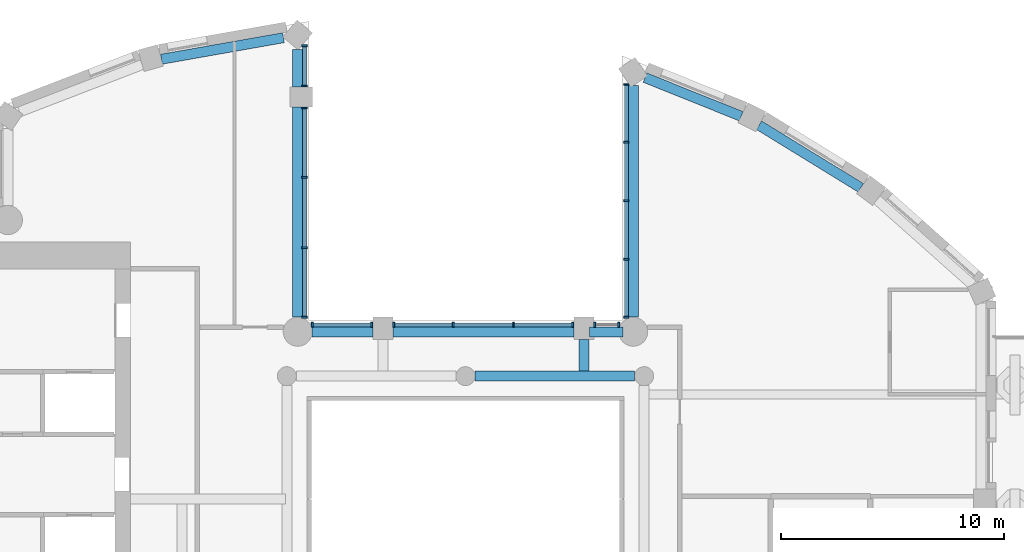
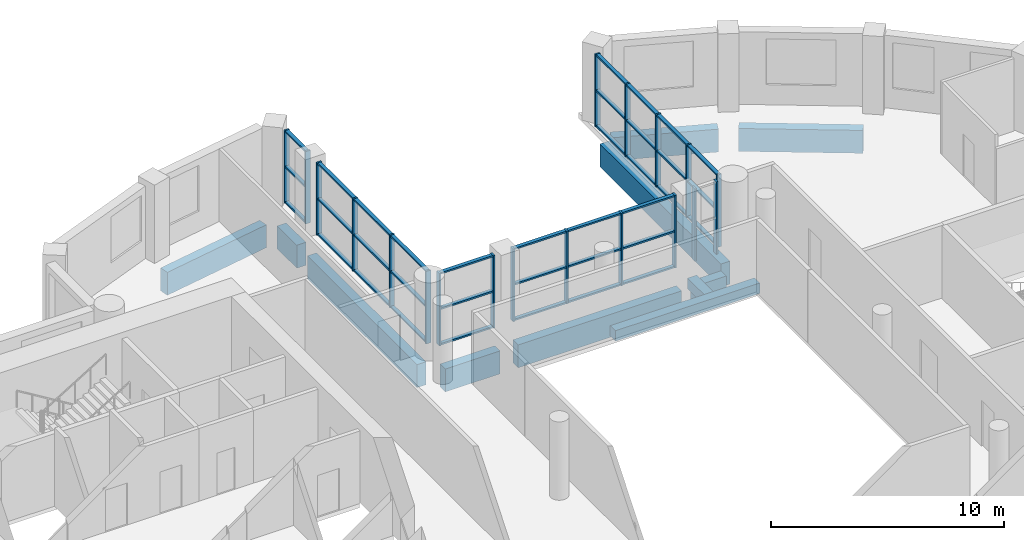
# One storey, part 2 of 14: 55 members, 11 beams, 6 elements without a shape of their own.
"""IFC4 building model written with IfcOpenShell, lengths in metres."""

from ifc_helpers import new_model, si_unit, direction, frame, origin, origin_2d, place, context, subcontext, project, spatial, rectangle, extrude, material, material_profile, profile_set, type_object, element, aggregate, save


model = new_model("IFC4")

# Units and contexts
model_context = context("Model", 3, precision=1e-05, world=origin(), true_north=direction((0.0, 1.0)))
body_context = subcontext(model_context, "Body", "Model", "MODEL_VIEW")
ifc_project = project(units=[si_unit("LENGTHUNIT", "METRE"), si_unit("AREAUNIT", "SQUARE_METRE"), si_unit("VOLUMEUNIT", "CUBIC_METRE"), si_unit("PLANEANGLEUNIT", "RADIAN"), si_unit("MASSUNIT", "GRAM", prefix="KILO")], contexts=[model_context])

# Site, building, storey
site_placement = place(None, origin())
site = spatial("IfcSite", under=ifc_project, at=site_placement, CompositionType="ELEMENT")
building_placement = place(site_placement, origin())
building = spatial("IfcBuilding", under=site, at=building_placement, Name="Cypress Arch Tower", CompositionType="ELEMENT")
storey_placement = place(building_placement, frame((0.0, 0.0, 296.699951171875)))
storey = spatial("IfcBuildingStorey", under=building, at=storey_placement, Name="L67", CompositionType="ELEMENT", Elevation=296.699951171875)

# Beams
ifc_material_1 = material(Name="Concrete C50/60", Category="concrete")
ifc_material_profile_1 = material_profile(ifc_material_1, rectangle(XDim=0.449951171875, YDim=0.550048828125, at=origin_2d()), Name="RC 450x550")
ifc_profile_set_1 = profile_set([ifc_material_profile_1], Name="Concrete C50/60")
beam_type_1 = type_object("IfcBeamType", Name="Floor beam RC 450x550 Concrete C50/60", PredefinedType="BEAM", material=ifc_profile_set_1)
beam_1_placement = place(storey_placement, frame((1.425048828125, 10.0, -0.574951171875), z_axis=(1.0, 0.0, 0.0), x_axis=(0.0, 1.0, 0.0)))
element("IfcBeam", 1, at=beam_1_placement, inside=storey, type_object=beam_type_1, Name="Floor beam L67 RB008", PredefinedType="BEAM", context=body_context, shape_type="SweptSolid", body=[
    extrude(rectangle(XDim=0.449951171875, YDim=0.550048828125, at=origin_2d()), origin(), (0.0, 0.0, 1.0), 7.14990234375),
])
beam_2_placement = place(storey_placement, frame((6.300048828125, 10.22509765625, -0.574951171875), z_axis=(0.0, 1.0, 0.0), x_axis=(-1.0, 0.0, 0.0)))
element("IfcBeam", 2, at=beam_2_placement, inside=storey, type_object=beam_type_1, Name="Floor beam L67 FB013", PredefinedType="BEAM", context=body_context, shape_type="SweptSolid", body=[
    extrude(rectangle(XDim=0.449951171875, YDim=0.550048828125, at=origin_2d()), origin(), (0.0, 0.0, 1.0), 1.4248046875),
])

# Curtain wall, members
ifc_material_2 = material(Name="Anodised aluminium, bronze finish, clear laminated double glazing", Category="aluminium")
curtain_wall_type = type_object("IfcCurtainWallType", Name="Curtain wall CW7 slot glazing", PredefinedType="NOTDEFINED", material=ifc_material_2)
curtain_wall_1_placement = place(storey_placement, origin())
curtain_wall_1 = element("IfcCurtainWall", 3, at=curtain_wall_1_placement, inside=storey, type_object=curtain_wall_type, Name="Curtain wall L67 slot C00.0", PredefinedType="NOTDEFINED")
ifc_material_3 = material(Name="Anodised aluminium, bronze finish", Category="aluminium")
ifc_material_profile_2 = material_profile(ifc_material_3, rectangle(XDim=0.239990234375, YDim=0.0849609375, at=origin_2d()), Name="Mullion 85x240")
ifc_profile_set_2 = profile_set([ifc_material_profile_2], Name="Anodised aluminium, bronze finish")
member_type_1 = type_object("IfcMemberType", Name="Mullion CW7 85x240", PredefinedType="MULLION", material=ifc_profile_set_2)
member_1_placement = place(storey_placement, frame((8.199951171875, 23.060302734375, 0.0), z_axis=(0.0, 0.0, 1.0), x_axis=(1.0, 0.0, 0.0)))
member_1 = element("IfcMember", 4, at=member_1_placement, type_object=member_type_1, Name="CW7 mullion 1", PredefinedType="MULLION", context=body_context, shape_type="SweptSolid", body=[
    extrude(rectangle(XDim=0.239990234375, YDim=0.0849609375, at=origin_2d()), origin(), (0.0, 0.0, 1.0), 3.800048828125),
])
member_2_placement = place(storey_placement, frame((8.199951171875, 20.477294921875, 0.0), z_axis=(0.0, 0.0, 1.0), x_axis=(1.0, 0.0, 0.0)))
member_2 = element("IfcMember", 5, at=member_2_placement, type_object=member_type_1, Name="CW7 mullion 2", PredefinedType="MULLION", context=body_context, shape_type="SweptSolid", body=[
    extrude(rectangle(XDim=0.239990234375, YDim=0.0849609375, at=origin_2d()), origin(), (0.0, 0.0, 1.0), 3.800048828125),
])
member_3_placement = place(storey_placement, frame((8.199951171875, 17.85205078125, 0.0), z_axis=(0.0, 0.0, 1.0), x_axis=(1.0, 0.0, 0.0)))
member_3 = element("IfcMember", 6, at=member_3_placement, type_object=member_type_1, Name="CW7 mullion 3", PredefinedType="MULLION", context=body_context, shape_type="SweptSolid", body=[
    extrude(rectangle(XDim=0.239990234375, YDim=0.0849609375, at=origin_2d()), origin(), (0.0, 0.0, 1.0), 3.800048828125),
])
member_4_placement = place(storey_placement, frame((8.199951171875, 15.226806640625, 0.0), z_axis=(0.0, 0.0, 1.0), x_axis=(1.0, 0.0, 0.0)))
member_4 = element("IfcMember", 7, at=member_4_placement, type_object=member_type_1, Name="CW7 mullion 4", PredefinedType="MULLION", context=body_context, shape_type="SweptSolid", body=[
    extrude(rectangle(XDim=0.239990234375, YDim=0.0849609375, at=origin_2d()), origin(), (0.0, 0.0, 1.0), 3.800048828125),
])
member_5_placement = place(storey_placement, frame((8.199951171875, 12.64404296875, 0.0), z_axis=(0.0, 0.0, 1.0), x_axis=(1.0, 0.0, 0.0)))
member_5 = element("IfcMember", 8, at=member_5_placement, type_object=member_type_1, Name="CW7 mullion 5", PredefinedType="MULLION", context=body_context, shape_type="SweptSolid", body=[
    extrude(rectangle(XDim=0.239990234375, YDim=0.0849609375, at=origin_2d()), origin(), (0.0, 0.0, 1.0), 3.800048828125),
])

curtain_wall_2_placement = place(storey_placement, origin())
curtain_wall_2 = element("IfcCurtainWall", 9, at=curtain_wall_2_placement, inside=storey, type_object=curtain_wall_type, Name="Curtain wall L67 slot C01.0", PredefinedType="NOTDEFINED")
member_6_placement = place(storey_placement, frame((7.85595703125, 12.300048828125, 0.0), z_axis=(0.0, 0.0, 1.0), x_axis=(0.0, -1.0, 0.0)))
member_6 = element("IfcMember", 10, at=member_6_placement, type_object=member_type_1, Name="CW7 mullion 1", PredefinedType="MULLION", context=body_context, shape_type="SweptSolid", body=[
    extrude(rectangle(XDim=0.239990234375, YDim=0.0849609375, at=origin_2d()), origin(), (0.0, 0.0, 1.0), 3.800048828125),
])
member_7_placement = place(storey_placement, frame((6.79248046875, 12.300048828125, 0.0), z_axis=(0.0, 0.0, 1.0), x_axis=(0.0, -1.0, 0.0)))
member_7 = element("IfcMember", 11, at=member_7_placement, type_object=member_type_1, Name="CW7 mullion 2", PredefinedType="MULLION", context=body_context, shape_type="SweptSolid", body=[
    extrude(rectangle(XDim=0.239990234375, YDim=0.0849609375, at=origin_2d()), origin(), (0.0, 0.0, 1.0), 3.800048828125),
])
aggregate(curtain_wall_2, [member_6, member_7])

curtain_wall_3_placement = place(storey_placement, origin())
curtain_wall_3 = element("IfcCurtainWall", 12, at=curtain_wall_3_placement, inside=storey, type_object=curtain_wall_type, Name="Curtain wall L67 slot C01.1", PredefinedType="NOTDEFINED")
member_8_placement = place(storey_placement, frame((5.8076171875, 12.300048828125, 0.0), z_axis=(0.0, 0.0, 1.0), x_axis=(0.0, -1.0, 0.0)))
member_8 = element("IfcMember", 13, at=member_8_placement, type_object=member_type_1, Name="CW7 mullion 1", PredefinedType="MULLION", context=body_context, shape_type="SweptSolid", body=[
    extrude(rectangle(XDim=0.239990234375, YDim=0.0849609375, at=origin_2d()), origin(), (0.0, 0.0, 1.0), 3.800048828125),
])
member_9_placement = place(storey_placement, frame((3.14990234375, 12.300048828125, 0.0), z_axis=(0.0, 0.0, 1.0), x_axis=(0.0, -1.0, 0.0)))
member_9 = element("IfcMember", 14, at=member_9_placement, type_object=member_type_1, Name="CW7 mullion 2", PredefinedType="MULLION", context=body_context, shape_type="SweptSolid", body=[
    extrude(rectangle(XDim=0.239990234375, YDim=0.0849609375, at=origin_2d()), origin(), (0.0, 0.0, 1.0), 3.800048828125),
])
member_10_placement = place(storey_placement, frame((0.449951171875, 12.300048828125, 0.0), z_axis=(0.0, 0.0, 1.0), x_axis=(0.0, -1.0, 0.0)))
member_10 = element("IfcMember", 15, at=member_10_placement, type_object=member_type_1, Name="CW7 mullion 3", PredefinedType="MULLION", context=body_context, shape_type="SweptSolid", body=[
    extrude(rectangle(XDim=0.239990234375, YDim=0.0849609375, at=origin_2d()), origin(), (0.0, 0.0, 1.0), 3.800048828125),
])
member_11_placement = place(storey_placement, frame((-2.20751953125, 12.300048828125, 0.0), z_axis=(0.0, 0.0, 1.0), x_axis=(0.0, -1.0, 0.0)))
member_11 = element("IfcMember", 16, at=member_11_placement, type_object=member_type_1, Name="CW7 mullion 4", PredefinedType="MULLION", context=body_context, shape_type="SweptSolid", body=[
    extrude(rectangle(XDim=0.239990234375, YDim=0.0849609375, at=origin_2d()), origin(), (0.0, 0.0, 1.0), 3.800048828125),
])

curtain_wall_4_placement = place(storey_placement, origin())
curtain_wall_4 = element("IfcCurtainWall", 17, at=curtain_wall_4_placement, inside=storey, type_object=curtain_wall_type, Name="Curtain wall L67 slot C01.2", PredefinedType="NOTDEFINED")
member_12_placement = place(storey_placement, frame((-3.1923828125, 12.300048828125, 0.0), z_axis=(0.0, 0.0, 1.0), x_axis=(0.0, -1.0, 0.0)))
member_12 = element("IfcMember", 18, at=member_12_placement, type_object=member_type_1, Name="CW7 mullion 1", PredefinedType="MULLION", context=body_context, shape_type="SweptSolid", body=[
    extrude(rectangle(XDim=0.239990234375, YDim=0.0849609375, at=origin_2d()), origin(), (0.0, 0.0, 1.0), 3.800048828125),
])
member_13_placement = place(storey_placement, frame((-5.85595703125, 12.300048828125, 0.0), z_axis=(0.0, 0.0, 1.0), x_axis=(0.0, -1.0, 0.0)))
member_13 = element("IfcMember", 19, at=member_13_placement, type_object=member_type_1, Name="CW7 mullion 2", PredefinedType="MULLION", context=body_context, shape_type="SweptSolid", body=[
    extrude(rectangle(XDim=0.239990234375, YDim=0.0849609375, at=origin_2d()), origin(), (0.0, 0.0, 1.0), 3.800048828125),
])

curtain_wall_5_placement = place(storey_placement, origin())
curtain_wall_5 = element("IfcCurtainWall", 20, at=curtain_wall_5_placement, inside=storey, type_object=curtain_wall_type, Name="Curtain wall L67 slot C02.0", PredefinedType="NOTDEFINED")
member_14_placement = place(storey_placement, frame((-6.199951171875, 12.64404296875, 0.0), z_axis=(0.0, 0.0, 1.0), x_axis=(-1.0, 0.0, 0.0)))
member_14 = element("IfcMember", 21, at=member_14_placement, type_object=member_type_1, Name="CW7 mullion 1", PredefinedType="MULLION", context=body_context, shape_type="SweptSolid", body=[
    extrude(rectangle(XDim=0.239990234375, YDim=0.0849609375, at=origin_2d()), origin(), (0.0, 0.0, 1.0), 3.800048828125),
])
member_15_placement = place(storey_placement, frame((-6.199951171875, 15.7509765625, 0.0), z_axis=(0.0, 0.0, 1.0), x_axis=(-1.0, 0.0, 0.0)))
member_15 = element("IfcMember", 22, at=member_15_placement, type_object=member_type_1, Name="CW7 mullion 2", PredefinedType="MULLION", context=body_context, shape_type="SweptSolid", body=[
    extrude(rectangle(XDim=0.239990234375, YDim=0.0849609375, at=origin_2d()), origin(), (0.0, 0.0, 1.0), 3.800048828125),
])
member_16_placement = place(storey_placement, frame((-6.199951171875, 18.900390625, 0.0), z_axis=(0.0, 0.0, 1.0), x_axis=(-1.0, 0.0, 0.0)))
member_16 = element("IfcMember", 23, at=member_16_placement, type_object=member_type_1, Name="CW7 mullion 3", PredefinedType="MULLION", context=body_context, shape_type="SweptSolid", body=[
    extrude(rectangle(XDim=0.239990234375, YDim=0.0849609375, at=origin_2d()), origin(), (0.0, 0.0, 1.0), 3.800048828125),
])
member_17_placement = place(storey_placement, frame((-6.199951171875, 22.007568359375, 0.0), z_axis=(0.0, 0.0, 1.0), x_axis=(-1.0, 0.0, 0.0)))
member_17 = element("IfcMember", 24, at=member_17_placement, type_object=member_type_1, Name="CW7 mullion 4", PredefinedType="MULLION", context=body_context, shape_type="SweptSolid", body=[
    extrude(rectangle(XDim=0.239990234375, YDim=0.0849609375, at=origin_2d()), origin(), (0.0, 0.0, 1.0), 3.800048828125),
])

curtain_wall_6_placement = place(storey_placement, origin())
curtain_wall_6 = element("IfcCurtainWall", 25, at=curtain_wall_6_placement, inside=storey, type_object=curtain_wall_type, Name="Curtain wall L67 slot C02.1", PredefinedType="NOTDEFINED")
member_18_placement = place(storey_placement, frame((-6.199951171875, 22.992431640625, 0.0), z_axis=(0.0, 0.0, 1.0), x_axis=(-1.0, 0.0, 0.0)))
member_18 = element("IfcMember", 26, at=member_18_placement, type_object=member_type_1, Name="CW7 mullion 1", PredefinedType="MULLION", context=body_context, shape_type="SweptSolid", body=[
    extrude(rectangle(XDim=0.239990234375, YDim=0.0849609375, at=origin_2d()), origin(), (0.0, 0.0, 1.0), 3.800048828125),
])
member_19_placement = place(storey_placement, frame((-6.199951171875, 24.789794921875, 0.0), z_axis=(0.0, 0.0, 1.0), x_axis=(-1.0, 0.0, 0.0)))
member_19 = element("IfcMember", 27, at=member_19_placement, type_object=member_type_1, Name="CW7 mullion 2", PredefinedType="MULLION", context=body_context, shape_type="SweptSolid", body=[
    extrude(rectangle(XDim=0.239990234375, YDim=0.0849609375, at=origin_2d()), origin(), (0.0, 0.0, 1.0), 3.800048828125),
])

# Beams
ifc_material_4 = material(Name="Concrete C50/60", Category="concrete")
ifc_material_profile_3 = material_profile(ifc_material_4, rectangle(XDim=0.449951171875, YDim=1.199951171875, at=origin_2d()), Name="RC 450x1200")
ifc_profile_set_3 = profile_set([ifc_material_profile_3], Name="Concrete C50/60")
beam_type_2 = type_object("IfcBeamType", Name="Spandrel beam RC 450x1200 Concrete C50/60", PredefinedType="SPANDREL", material=ifc_profile_set_3)
beam_3_placement = place(storey_placement, frame((8.52490234375, 23.017578125, -1.550048828125), z_axis=(0.0, -1.0, 0.0), x_axis=(1.0, 0.0, 0.0)))
element("IfcBeam", 28, at=beam_3_placement, inside=storey, type_object=beam_type_2, Name="Spandrel beam L67 BC00-0", PredefinedType="SPANDREL", context=body_context, shape_type="SweptSolid", body=[
    extrude(rectangle(XDim=0.449951171875, YDim=1.199951171875, at=origin_2d()), origin(), (0.0, 0.0, 1.0), 10.380126953125),
])
beam_4_placement = place(storey_placement, frame((8.05615234375, 11.97509765625, -1.550048828125), z_axis=(-1.0, 0.0, 0.0), x_axis=(0.0, -1.0, 0.0)))
element("IfcBeam", 29, at=beam_4_placement, inside=storey, type_object=beam_type_2, Name="Spandrel beam L67 BC01-0", PredefinedType="SPANDREL", context=body_context, shape_type="SweptSolid", body=[
    extrude(rectangle(XDim=0.449951171875, YDim=1.199951171875, at=origin_2d()), origin(), (0.0, 0.0, 1.0), 1.5),
])
beam_5_placement = place(storey_placement, frame((5.85009765625, 11.97509765625, -1.550048828125), z_axis=(-1.0, 0.0, 0.0), x_axis=(0.0, -1.0, 0.0)))
element("IfcBeam", 30, at=beam_5_placement, inside=storey, type_object=beam_type_2, Name="Spandrel beam L67 BC01-1", PredefinedType="SPANDREL", context=body_context, shape_type="SweptSolid", body=[
    extrude(rectangle(XDim=0.449951171875, YDim=1.199951171875, at=origin_2d()), origin(), (0.0, 0.0, 1.0), 8.10009765625),
])
beam_6_placement = place(storey_placement, frame((-3.14990234375, 11.97509765625, -1.550048828125), z_axis=(-1.0, 0.0, 0.0), x_axis=(0.0, -1.0, 0.0)))
element("IfcBeam", 31, at=beam_6_placement, inside=storey, type_object=beam_type_2, Name="Spandrel beam L67 BC01-2", PredefinedType="SPANDREL", context=body_context, shape_type="SweptSolid", body=[
    extrude(rectangle(XDim=0.449951171875, YDim=1.199951171875, at=origin_2d()), origin(), (0.0, 0.0, 1.0), 2.712646484375),
])
beam_7_placement = place(storey_placement, frame((-6.52490234375, 12.637451171875, -1.550048828125), z_axis=(0.0, 1.0, 0.0), x_axis=(-1.0, 0.0, 0.0)))
element("IfcBeam", 32, at=beam_7_placement, inside=storey, type_object=beam_type_2, Name="Spandrel beam L67 BC02-0", PredefinedType="SPANDREL", context=body_context, shape_type="SweptSolid", body=[
    extrude(rectangle(XDim=0.449951171875, YDim=1.199951171875, at=origin_2d()), origin(), (0.0, 0.0, 1.0), 9.41259765625),
])
beam_8_placement = place(storey_placement, frame((-6.52490234375, 22.949951171875, -1.550048828125), z_axis=(0.0, 1.0, 0.0), x_axis=(-1.0, 0.0, 0.0)))
element("IfcBeam", 33, at=beam_8_placement, inside=storey, type_object=beam_type_2, Name="Spandrel beam L67 BC02-1", PredefinedType="SPANDREL", context=body_context, shape_type="SweptSolid", body=[
    extrude(rectangle(XDim=0.449951171875, YDim=1.199951171875, at=origin_2d()), origin(), (0.0, 0.0, 1.0), 1.6796875),
])
beam_9_placement = place(storey_placement, frame((-7.14990234375, 25.154052734375, -1.550048828125), z_axis=(-0.984800388539, -0.173689938494, 0.0), x_axis=(0.173689938494, -0.984800388539, 0.0)))
element("IfcBeam", 34, at=beam_9_placement, inside=storey, type_object=beam_type_2, Name="Spandrel beam L67 BC03-0", PredefinedType="SPANDREL", context=body_context, shape_type="SweptSolid", body=[
    extrude(rectangle(XDim=0.449951171875, YDim=1.199951171875, at=origin_2d()), origin(), (0.0, 0.0, 1.0), 5.5478515625),
])
beam_10_placement = place(storey_placement, frame((18.700927734375, 18.43359375, -1.550048828125), z_axis=(-0.851880940975, 0.523735488966, 0.0), x_axis=(-0.523735488966, -0.851880940975, 0.0)))
element("IfcBeam", 35, at=beam_10_placement, inside=storey, type_object=beam_type_2, Name="Spandrel beam L67 BC19-0", PredefinedType="SPANDREL", context=body_context, shape_type="SweptSolid", body=[
    extrude(rectangle(XDim=0.449951171875, YDim=1.199951171875, at=origin_2d()), origin(), (0.0, 0.0, 1.0), 5.344970703125),
])
beam_11_placement = place(storey_placement, frame((13.343994140625, 21.6376953125, -1.550048828125), z_axis=(-0.92793836678, 0.372733668263, 0.0), x_axis=(-0.372733668263, -0.92793836678, 0.0)))
element("IfcBeam", 36, at=beam_11_placement, inside=storey, type_object=beam_type_2, Name="Spandrel beam L67 BC20-0", PredefinedType="SPANDREL", context=body_context, shape_type="SweptSolid", body=[
    extrude(rectangle(XDim=0.449951171875, YDim=1.199951171875, at=origin_2d()), origin(), (0.0, 0.0, 1.0), 4.637451171875),
])

# Member
ifc_material_5 = material(Name="Anodised aluminium, bronze finish", Category="aluminium")
ifc_material_profile_4 = material_profile(ifc_material_5, rectangle(XDim=0.179931640625, YDim=0.0849609375, at=origin_2d()), Name="Transom 85x180")
ifc_profile_set_4 = profile_set([ifc_material_profile_4], Name="Anodised aluminium, bronze finish")
member_type_2 = type_object("IfcMemberType", Name="Transom CW7 85x180", PredefinedType="USERDEFINED", material=ifc_profile_set_4)
member_20_placement = place(storey_placement, frame((8.199951171875, 23.017578125, 0.04248046875), z_axis=(0.0, -1.0, 0.0), x_axis=(1.0, 0.0, 0.0)))
member_20 = element("IfcMember", 37, at=member_20_placement, type_object=member_type_2, Name="CW7 transom 1.1", ObjectType="TRANSOM", PredefinedType="USERDEFINED", context=body_context, shape_type="SweptSolid", body=[
    extrude(rectangle(XDim=0.179931640625, YDim=0.0849609375, at=origin_2d()), origin(), (0.0, 0.0, 1.0), 2.497802734375),
])

member_21_placement = place(storey_placement, frame((8.199951171875, 23.017578125, 1.900146484375), z_axis=(0.0, -1.0, 0.0), x_axis=(1.0, 0.0, 0.0)))
member_21 = element("IfcMember", 38, at=member_21_placement, type_object=member_type_2, Name="CW7 transom 1.2", ObjectType="TRANSOM", PredefinedType="USERDEFINED", context=body_context, shape_type="SweptSolid", body=[
    extrude(rectangle(XDim=0.179931640625, YDim=0.0849609375, at=origin_2d()), origin(), (0.0, 0.0, 1.0), 2.497802734375),
])

member_22_placement = place(storey_placement, frame((8.199951171875, 23.017578125, 3.757568359375), z_axis=(0.0, -1.0, 0.0), x_axis=(1.0, 0.0, 0.0)))
member_22 = element("IfcMember", 39, at=member_22_placement, type_object=member_type_2, Name="CW7 transom 1.3", ObjectType="TRANSOM", PredefinedType="USERDEFINED", context=body_context, shape_type="SweptSolid", body=[
    extrude(rectangle(XDim=0.179931640625, YDim=0.0849609375, at=origin_2d()), origin(), (0.0, 0.0, 1.0), 2.497802734375),
])

member_23_placement = place(storey_placement, frame((8.199951171875, 20.434814453125, 0.04248046875), z_axis=(0.0, -1.0, 0.0), x_axis=(1.0, 0.0, 0.0)))
member_23 = element("IfcMember", 40, at=member_23_placement, type_object=member_type_2, Name="CW7 transom 2.1", ObjectType="TRANSOM", PredefinedType="USERDEFINED", context=body_context, shape_type="SweptSolid", body=[
    extrude(rectangle(XDim=0.179931640625, YDim=0.0849609375, at=origin_2d()), origin(), (0.0, 0.0, 1.0), 2.540283203125),
])

member_24_placement = place(storey_placement, frame((8.199951171875, 20.434814453125, 1.900146484375), z_axis=(0.0, -1.0, 0.0), x_axis=(1.0, 0.0, 0.0)))
member_24 = element("IfcMember", 41, at=member_24_placement, type_object=member_type_2, Name="CW7 transom 2.2", ObjectType="TRANSOM", PredefinedType="USERDEFINED", context=body_context, shape_type="SweptSolid", body=[
    extrude(rectangle(XDim=0.179931640625, YDim=0.0849609375, at=origin_2d()), origin(), (0.0, 0.0, 1.0), 2.540283203125),
])

member_25_placement = place(storey_placement, frame((8.199951171875, 20.434814453125, 3.757568359375), z_axis=(0.0, -1.0, 0.0), x_axis=(1.0, 0.0, 0.0)))
member_25 = element("IfcMember", 42, at=member_25_placement, type_object=member_type_2, Name="CW7 transom 2.3", ObjectType="TRANSOM", PredefinedType="USERDEFINED", context=body_context, shape_type="SweptSolid", body=[
    extrude(rectangle(XDim=0.179931640625, YDim=0.0849609375, at=origin_2d()), origin(), (0.0, 0.0, 1.0), 2.540283203125),
])

member_26_placement = place(storey_placement, frame((8.199951171875, 17.8095703125, 0.04248046875), z_axis=(0.0, -1.0, 0.0), x_axis=(1.0, 0.0, 0.0)))
member_26 = element("IfcMember", 43, at=member_26_placement, type_object=member_type_2, Name="CW7 transom 3.1", ObjectType="TRANSOM", PredefinedType="USERDEFINED", context=body_context, shape_type="SweptSolid", body=[
    extrude(rectangle(XDim=0.179931640625, YDim=0.0849609375, at=origin_2d()), origin(), (0.0, 0.0, 1.0), 2.540283203125),
])

member_27_placement = place(storey_placement, frame((8.199951171875, 17.8095703125, 1.900146484375), z_axis=(0.0, -1.0, 0.0), x_axis=(1.0, 0.0, 0.0)))
member_27 = element("IfcMember", 44, at=member_27_placement, type_object=member_type_2, Name="CW7 transom 3.2", ObjectType="TRANSOM", PredefinedType="USERDEFINED", context=body_context, shape_type="SweptSolid", body=[
    extrude(rectangle(XDim=0.179931640625, YDim=0.0849609375, at=origin_2d()), origin(), (0.0, 0.0, 1.0), 2.540283203125),
])

member_28_placement = place(storey_placement, frame((8.199951171875, 17.8095703125, 3.757568359375), z_axis=(0.0, -1.0, 0.0), x_axis=(1.0, 0.0, 0.0)))
member_28 = element("IfcMember", 45, at=member_28_placement, type_object=member_type_2, Name="CW7 transom 3.3", ObjectType="TRANSOM", PredefinedType="USERDEFINED", context=body_context, shape_type="SweptSolid", body=[
    extrude(rectangle(XDim=0.179931640625, YDim=0.0849609375, at=origin_2d()), origin(), (0.0, 0.0, 1.0), 2.540283203125),
])

member_29_placement = place(storey_placement, frame((8.199951171875, 15.184326171875, 0.04248046875), z_axis=(0.0, -1.0, 0.0), x_axis=(1.0, 0.0, 0.0)))
member_29 = element("IfcMember", 46, at=member_29_placement, type_object=member_type_2, Name="CW7 transom 4.1", ObjectType="TRANSOM", PredefinedType="USERDEFINED", context=body_context, shape_type="SweptSolid", body=[
    extrude(rectangle(XDim=0.179931640625, YDim=0.0849609375, at=origin_2d()), origin(), (0.0, 0.0, 1.0), 2.497802734375),
])

member_30_placement = place(storey_placement, frame((8.199951171875, 15.184326171875, 1.900146484375), z_axis=(0.0, -1.0, 0.0), x_axis=(1.0, 0.0, 0.0)))
member_30 = element("IfcMember", 47, at=member_30_placement, type_object=member_type_2, Name="CW7 transom 4.2", ObjectType="TRANSOM", PredefinedType="USERDEFINED", context=body_context, shape_type="SweptSolid", body=[
    extrude(rectangle(XDim=0.179931640625, YDim=0.0849609375, at=origin_2d()), origin(), (0.0, 0.0, 1.0), 2.497802734375),
])

member_31_placement = place(storey_placement, frame((8.199951171875, 15.184326171875, 3.757568359375), z_axis=(0.0, -1.0, 0.0), x_axis=(1.0, 0.0, 0.0)))
member_31 = element("IfcMember", 48, at=member_31_placement, type_object=member_type_2, Name="CW7 transom 4.3", ObjectType="TRANSOM", PredefinedType="USERDEFINED", context=body_context, shape_type="SweptSolid", body=[
    extrude(rectangle(XDim=0.179931640625, YDim=0.0849609375, at=origin_2d()), origin(), (0.0, 0.0, 1.0), 2.497802734375),
])

aggregate(curtain_wall_1, [member_1, member_2, member_3, member_4, member_5, member_20, member_21, member_22, member_23, member_24, member_25, member_26, member_27, member_28, member_29, member_30, member_31])

member_32_placement = place(storey_placement, frame((5.764892578125, 12.300048828125, 0.04248046875), z_axis=(-1.0, 0.0, 0.0), x_axis=(0.0, -1.0, 0.0)))
member_32 = element("IfcMember", 49, at=member_32_placement, type_object=member_type_2, Name="CW7 transom 1.1", ObjectType="TRANSOM", PredefinedType="USERDEFINED", context=body_context, shape_type="SweptSolid", body=[
    extrude(rectangle(XDim=0.179931640625, YDim=0.0849609375, at=origin_2d()), origin(), (0.0, 0.0, 1.0), 2.572509765625),
])

member_33_placement = place(storey_placement, frame((5.764892578125, 12.300048828125, 1.900146484375), z_axis=(-1.0, 0.0, 0.0), x_axis=(0.0, -1.0, 0.0)))
member_33 = element("IfcMember", 50, at=member_33_placement, type_object=member_type_2, Name="CW7 transom 1.2", ObjectType="TRANSOM", PredefinedType="USERDEFINED", context=body_context, shape_type="SweptSolid", body=[
    extrude(rectangle(XDim=0.179931640625, YDim=0.0849609375, at=origin_2d()), origin(), (0.0, 0.0, 1.0), 2.572509765625),
])

member_34_placement = place(storey_placement, frame((5.764892578125, 12.300048828125, 3.757568359375), z_axis=(-1.0, 0.0, 0.0), x_axis=(0.0, -1.0, 0.0)))
member_34 = element("IfcMember", 51, at=member_34_placement, type_object=member_type_2, Name="CW7 transom 1.3", ObjectType="TRANSOM", PredefinedType="USERDEFINED", context=body_context, shape_type="SweptSolid", body=[
    extrude(rectangle(XDim=0.179931640625, YDim=0.0849609375, at=origin_2d()), origin(), (0.0, 0.0, 1.0), 2.572509765625),
])

member_35_placement = place(storey_placement, frame((3.107421875, 12.300048828125, 0.04248046875), z_axis=(-1.0, 0.0, 0.0), x_axis=(0.0, -1.0, 0.0)))
member_35 = element("IfcMember", 52, at=member_35_placement, type_object=member_type_2, Name="CW7 transom 2.1", ObjectType="TRANSOM", PredefinedType="USERDEFINED", context=body_context, shape_type="SweptSolid", body=[
    extrude(rectangle(XDim=0.179931640625, YDim=0.0849609375, at=origin_2d()), origin(), (0.0, 0.0, 1.0), 2.614990234375),
])

member_36_placement = place(storey_placement, frame((3.107421875, 12.300048828125, 1.900146484375), z_axis=(-1.0, 0.0, 0.0), x_axis=(0.0, -1.0, 0.0)))
member_36 = element("IfcMember", 53, at=member_36_placement, type_object=member_type_2, Name="CW7 transom 2.2", ObjectType="TRANSOM", PredefinedType="USERDEFINED", context=body_context, shape_type="SweptSolid", body=[
    extrude(rectangle(XDim=0.179931640625, YDim=0.0849609375, at=origin_2d()), origin(), (0.0, 0.0, 1.0), 2.614990234375),
])

member_37_placement = place(storey_placement, frame((3.107421875, 12.300048828125, 3.757568359375), z_axis=(-1.0, 0.0, 0.0), x_axis=(0.0, -1.0, 0.0)))
member_37 = element("IfcMember", 54, at=member_37_placement, type_object=member_type_2, Name="CW7 transom 2.3", ObjectType="TRANSOM", PredefinedType="USERDEFINED", context=body_context, shape_type="SweptSolid", body=[
    extrude(rectangle(XDim=0.179931640625, YDim=0.0849609375, at=origin_2d()), origin(), (0.0, 0.0, 1.0), 2.614990234375),
])

member_38_placement = place(storey_placement, frame((0.407470703125, 12.300048828125, 0.04248046875), z_axis=(-1.0, 0.0, 0.0), x_axis=(0.0, -1.0, 0.0)))
member_38 = element("IfcMember", 55, at=member_38_placement, type_object=member_type_2, Name="CW7 transom 3.1", ObjectType="TRANSOM", PredefinedType="USERDEFINED", context=body_context, shape_type="SweptSolid", body=[
    extrude(rectangle(XDim=0.179931640625, YDim=0.0849609375, at=origin_2d()), origin(), (0.0, 0.0, 1.0), 2.572509765625),
])

member_39_placement = place(storey_placement, frame((0.407470703125, 12.300048828125, 1.900146484375), z_axis=(-1.0, 0.0, 0.0), x_axis=(0.0, -1.0, 0.0)))
member_39 = element("IfcMember", 56, at=member_39_placement, type_object=member_type_2, Name="CW7 transom 3.2", ObjectType="TRANSOM", PredefinedType="USERDEFINED", context=body_context, shape_type="SweptSolid", body=[
    extrude(rectangle(XDim=0.179931640625, YDim=0.0849609375, at=origin_2d()), origin(), (0.0, 0.0, 1.0), 2.572509765625),
])

member_40_placement = place(storey_placement, frame((0.407470703125, 12.300048828125, 3.757568359375), z_axis=(-1.0, 0.0, 0.0), x_axis=(0.0, -1.0, 0.0)))
member_40 = element("IfcMember", 57, at=member_40_placement, type_object=member_type_2, Name="CW7 transom 3.3", ObjectType="TRANSOM", PredefinedType="USERDEFINED", context=body_context, shape_type="SweptSolid", body=[
    extrude(rectangle(XDim=0.179931640625, YDim=0.0849609375, at=origin_2d()), origin(), (0.0, 0.0, 1.0), 2.572509765625),
])

aggregate(curtain_wall_3, [member_8, member_9, member_10, member_11, member_32, member_33, member_34, member_35, member_36, member_37, member_38, member_39, member_40])

member_41_placement = place(storey_placement, frame((-3.235107421875, 12.300048828125, 0.04248046875), z_axis=(-1.0, 0.0, 0.0), x_axis=(0.0, -1.0, 0.0)))
member_41 = element("IfcMember", 58, at=member_41_placement, type_object=member_type_2, Name="CW7 transom 1.1", ObjectType="TRANSOM", PredefinedType="USERDEFINED", context=body_context, shape_type="SweptSolid", body=[
    extrude(rectangle(XDim=0.179931640625, YDim=0.0849609375, at=origin_2d()), origin(), (0.0, 0.0, 1.0), 2.578369140625),
])

member_42_placement = place(storey_placement, frame((-3.235107421875, 12.300048828125, 1.900146484375), z_axis=(-1.0, 0.0, 0.0), x_axis=(0.0, -1.0, 0.0)))
member_42 = element("IfcMember", 59, at=member_42_placement, type_object=member_type_2, Name="CW7 transom 1.2", ObjectType="TRANSOM", PredefinedType="USERDEFINED", context=body_context, shape_type="SweptSolid", body=[
    extrude(rectangle(XDim=0.179931640625, YDim=0.0849609375, at=origin_2d()), origin(), (0.0, 0.0, 1.0), 2.578369140625),
])

member_43_placement = place(storey_placement, frame((-3.235107421875, 12.300048828125, 3.757568359375), z_axis=(-1.0, 0.0, 0.0), x_axis=(0.0, -1.0, 0.0)))
member_43 = element("IfcMember", 60, at=member_43_placement, type_object=member_type_2, Name="CW7 transom 1.3", ObjectType="TRANSOM", PredefinedType="USERDEFINED", context=body_context, shape_type="SweptSolid", body=[
    extrude(rectangle(XDim=0.179931640625, YDim=0.0849609375, at=origin_2d()), origin(), (0.0, 0.0, 1.0), 2.578369140625),
])

aggregate(curtain_wall_4, [member_12, member_13, member_41, member_42, member_43])

member_44_placement = place(storey_placement, frame((-6.199951171875, 12.6865234375, 0.04248046875), z_axis=(0.0, 1.0, 0.0), x_axis=(-1.0, 0.0, 0.0)))
member_44 = element("IfcMember", 61, at=member_44_placement, type_object=member_type_2, Name="CW7 transom 1.1", ObjectType="TRANSOM", PredefinedType="USERDEFINED", context=body_context, shape_type="SweptSolid", body=[
    extrude(rectangle(XDim=0.179931640625, YDim=0.0849609375, at=origin_2d()), origin(), (0.0, 0.0, 1.0), 3.02197265625),
])

member_45_placement = place(storey_placement, frame((-6.199951171875, 12.6865234375, 1.900146484375), z_axis=(0.0, 1.0, 0.0), x_axis=(-1.0, 0.0, 0.0)))
member_45 = element("IfcMember", 62, at=member_45_placement, type_object=member_type_2, Name="CW7 transom 1.2", ObjectType="TRANSOM", PredefinedType="USERDEFINED", context=body_context, shape_type="SweptSolid", body=[
    extrude(rectangle(XDim=0.179931640625, YDim=0.0849609375, at=origin_2d()), origin(), (0.0, 0.0, 1.0), 3.02197265625),
])

member_46_placement = place(storey_placement, frame((-6.199951171875, 12.6865234375, 3.757568359375), z_axis=(0.0, 1.0, 0.0), x_axis=(-1.0, 0.0, 0.0)))
member_46 = element("IfcMember", 63, at=member_46_placement, type_object=member_type_2, Name="CW7 transom 1.3", ObjectType="TRANSOM", PredefinedType="USERDEFINED", context=body_context, shape_type="SweptSolid", body=[
    extrude(rectangle(XDim=0.179931640625, YDim=0.0849609375, at=origin_2d()), origin(), (0.0, 0.0, 1.0), 3.02197265625),
])

member_47_placement = place(storey_placement, frame((-6.199951171875, 15.79345703125, 0.04248046875), z_axis=(0.0, 1.0, 0.0), x_axis=(-1.0, 0.0, 0.0)))
member_47 = element("IfcMember", 64, at=member_47_placement, type_object=member_type_2, Name="CW7 transom 2.1", ObjectType="TRANSOM", PredefinedType="USERDEFINED", context=body_context, shape_type="SweptSolid", body=[
    extrude(rectangle(XDim=0.179931640625, YDim=0.0849609375, at=origin_2d()), origin(), (0.0, 0.0, 1.0), 3.064453125),
])

member_48_placement = place(storey_placement, frame((-6.199951171875, 15.79345703125, 1.900146484375), z_axis=(0.0, 1.0, 0.0), x_axis=(-1.0, 0.0, 0.0)))
member_48 = element("IfcMember", 65, at=member_48_placement, type_object=member_type_2, Name="CW7 transom 2.2", ObjectType="TRANSOM", PredefinedType="USERDEFINED", context=body_context, shape_type="SweptSolid", body=[
    extrude(rectangle(XDim=0.179931640625, YDim=0.0849609375, at=origin_2d()), origin(), (0.0, 0.0, 1.0), 3.064453125),
])

member_49_placement = place(storey_placement, frame((-6.199951171875, 15.79345703125, 3.757568359375), z_axis=(0.0, 1.0, 0.0), x_axis=(-1.0, 0.0, 0.0)))
member_49 = element("IfcMember", 66, at=member_49_placement, type_object=member_type_2, Name="CW7 transom 2.3", ObjectType="TRANSOM", PredefinedType="USERDEFINED", context=body_context, shape_type="SweptSolid", body=[
    extrude(rectangle(XDim=0.179931640625, YDim=0.0849609375, at=origin_2d()), origin(), (0.0, 0.0, 1.0), 3.064453125),
])

member_50_placement = place(storey_placement, frame((-6.199951171875, 18.943115234375, 0.04248046875), z_axis=(0.0, 1.0, 0.0), x_axis=(-1.0, 0.0, 0.0)))
member_50 = element("IfcMember", 67, at=member_50_placement, type_object=member_type_2, Name="CW7 transom 3.1", ObjectType="TRANSOM", PredefinedType="USERDEFINED", context=body_context, shape_type="SweptSolid", body=[
    extrude(rectangle(XDim=0.179931640625, YDim=0.0849609375, at=origin_2d()), origin(), (0.0, 0.0, 1.0), 3.02197265625),
])

member_51_placement = place(storey_placement, frame((-6.199951171875, 18.943115234375, 1.900146484375), z_axis=(0.0, 1.0, 0.0), x_axis=(-1.0, 0.0, 0.0)))
member_51 = element("IfcMember", 68, at=member_51_placement, type_object=member_type_2, Name="CW7 transom 3.2", ObjectType="TRANSOM", PredefinedType="USERDEFINED", context=body_context, shape_type="SweptSolid", body=[
    extrude(rectangle(XDim=0.179931640625, YDim=0.0849609375, at=origin_2d()), origin(), (0.0, 0.0, 1.0), 3.02197265625),
])

member_52_placement = place(storey_placement, frame((-6.199951171875, 18.943115234375, 3.757568359375), z_axis=(0.0, 1.0, 0.0), x_axis=(-1.0, 0.0, 0.0)))
member_52 = element("IfcMember", 69, at=member_52_placement, type_object=member_type_2, Name="CW7 transom 3.3", ObjectType="TRANSOM", PredefinedType="USERDEFINED", context=body_context, shape_type="SweptSolid", body=[
    extrude(rectangle(XDim=0.179931640625, YDim=0.0849609375, at=origin_2d()), origin(), (0.0, 0.0, 1.0), 3.02197265625),
])

aggregate(curtain_wall_5, [member_14, member_15, member_16, member_17, member_44, member_45, member_46, member_47, member_48, member_49, member_50, member_51, member_52])

member_53_placement = place(storey_placement, frame((-6.199951171875, 23.034912109375, 0.04248046875), z_axis=(0.0, 1.0, 0.0), x_axis=(-1.0, 0.0, 0.0)))
member_53 = element("IfcMember", 70, at=member_53_placement, type_object=member_type_2, Name="CW7 transom 1.1", ObjectType="TRANSOM", PredefinedType="USERDEFINED", context=body_context, shape_type="SweptSolid", body=[
    extrude(rectangle(XDim=0.179931640625, YDim=0.0849609375, at=origin_2d()), origin(), (0.0, 0.0, 1.0), 1.71240234375),
])

member_54_placement = place(storey_placement, frame((-6.199951171875, 23.034912109375, 1.900146484375), z_axis=(0.0, 1.0, 0.0), x_axis=(-1.0, 0.0, 0.0)))
member_54 = element("IfcMember", 71, at=member_54_placement, type_object=member_type_2, Name="CW7 transom 1.2", ObjectType="TRANSOM", PredefinedType="USERDEFINED", context=body_context, shape_type="SweptSolid", body=[
    extrude(rectangle(XDim=0.179931640625, YDim=0.0849609375, at=origin_2d()), origin(), (0.0, 0.0, 1.0), 1.71240234375),
])

member_55_placement = place(storey_placement, frame((-6.199951171875, 23.034912109375, 3.757568359375), z_axis=(0.0, 1.0, 0.0), x_axis=(-1.0, 0.0, 0.0)))
member_55 = element("IfcMember", 72, at=member_55_placement, type_object=member_type_2, Name="CW7 transom 1.3", ObjectType="TRANSOM", PredefinedType="USERDEFINED", context=body_context, shape_type="SweptSolid", body=[
    extrude(rectangle(XDim=0.179931640625, YDim=0.0849609375, at=origin_2d()), origin(), (0.0, 0.0, 1.0), 1.71240234375),
])

aggregate(curtain_wall_6, [member_18, member_19, member_53, member_54, member_55])

save(model, "model.ifc")
